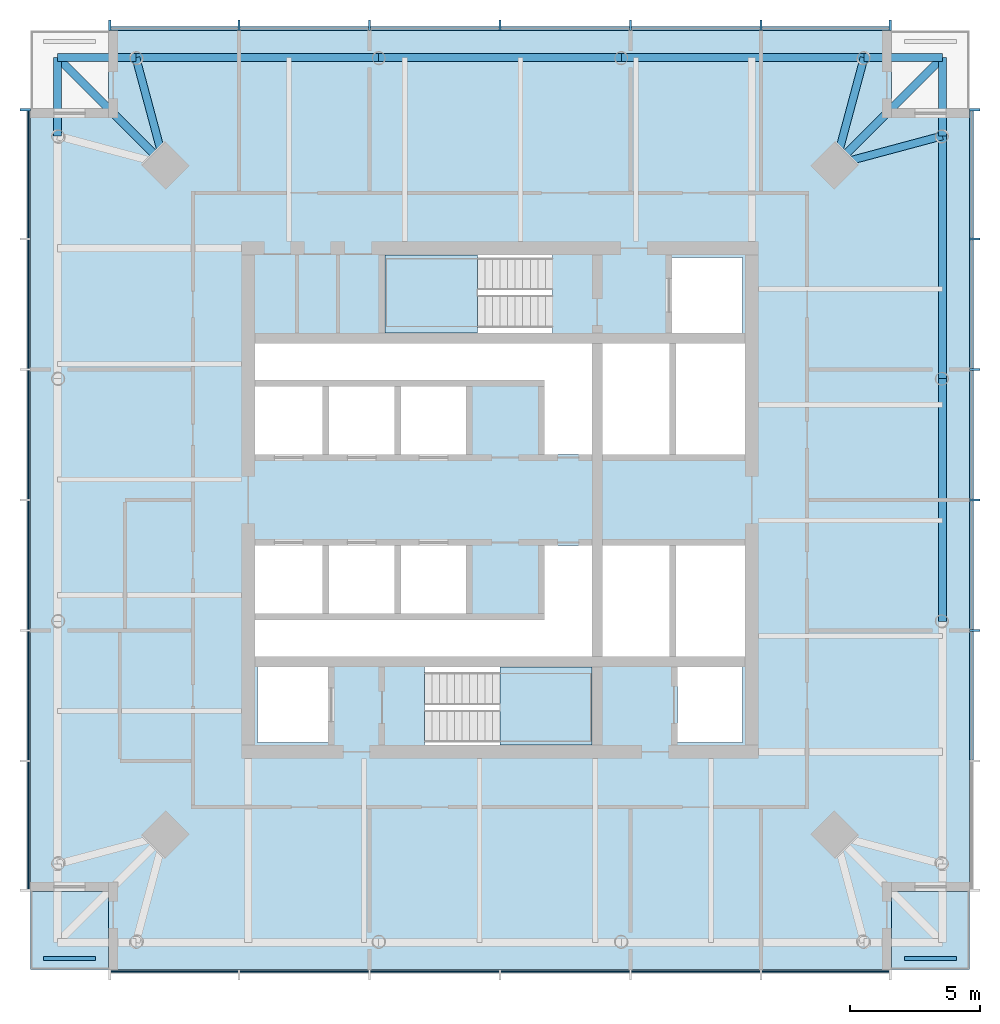
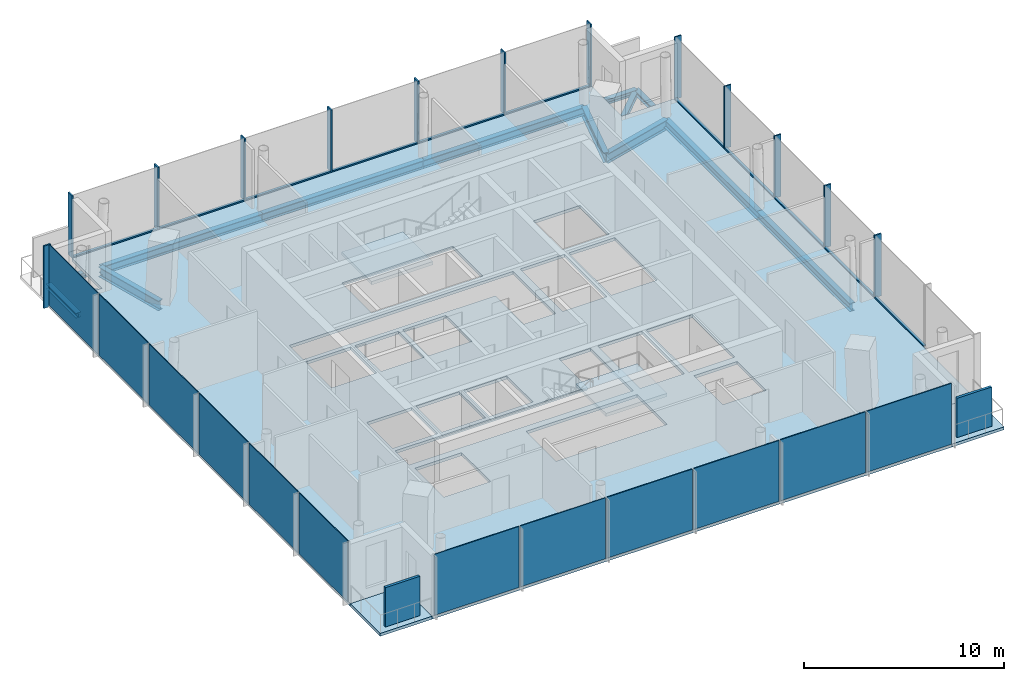
# One storey, part 2 of 7: 24 members, 14 beams, 14 plates, 5 slabs, 6 elements without a shape of their own.
"""IFC4 building model written with IfcOpenShell, lengths in metres."""

from ifc_helpers import new_model, si_unit, direction, frame, origin, origin_2d, place, context, subcontext, project, spatial, polyline, rectangle, i_section, outline, extrude, material, layer, layer_set, material_profile, profile_set, type_object, element, aggregate, save


model = new_model("IFC4")

# Units and contexts
model_context = context("Model", 3, precision=1e-05, world=origin(), true_north=direction((0.0, 1.0)))
body_context = subcontext(model_context, "Body", "Model", "MODEL_VIEW")
ifc_project = project(units=[si_unit("LENGTHUNIT", "METRE"), si_unit("AREAUNIT", "SQUARE_METRE"), si_unit("VOLUMEUNIT", "CUBIC_METRE"), si_unit("PLANEANGLEUNIT", "RADIAN"), si_unit("MASSUNIT", "GRAM", prefix="KILO")], contexts=[model_context])

# Site, building, storey
site_placement = place(None, origin())
site = spatial("IfcSite", under=ifc_project, at=site_placement, CompositionType="ELEMENT")
building_placement = place(site_placement, origin())
building = spatial("IfcBuilding", under=site, at=building_placement, Name="Ostroluk Exchange", CompositionType="ELEMENT")
storey_placement = place(building_placement, frame((0.0, 0.0, 241.39990234375)))
storey = spatial("IfcBuildingStorey", under=building, at=storey_placement, Name="L62", CompositionType="ELEMENT", Elevation=241.39990234375)

# Beams
ifc_material_1 = material(Name="Steel S355", Category="steel")
ifc_material_profile_1 = material_profile(ifc_material_1, i_section(OverallWidth=0.300048828125, OverallDepth=0.300048828125, WebThickness=0.010986328125, FlangeThickness=0.01904296875, FilletRadius=0.027099609375, at=origin_2d()), Name="HEB 300")
ifc_profile_set_1 = profile_set([ifc_material_profile_1], Name="Steel S355")
beam_type_1 = type_object("IfcBeamType", Name="Balcony beam HEB 300", PredefinedType="BEAM", material=ifc_profile_set_1)
for number, where, z_axis, x_axis, name in (
    (1, (61.95703125, 59.95703125, -0.329833984375), (0.0, 1.0, 0.0), (-1.0, 0.0, 0.0), "T1 east balcony beam a"),
    (2, (58.95703125, 62.95703125, -0.329833984375), (1.0, 0.0, 0.0), (0.0, 1.0, 0.0), "T1 east balcony beam b"),
):
    element("IfcBeam", number, at=place(storey_placement, frame(where, z_axis=z_axis, x_axis=x_axis)), inside=storey, type_object=beam_type_1, Name=name, PredefinedType="BEAM", context=body_context, shape_type="SweptSolid", body=[
        extrude(i_section(OverallWidth=0.300048828125, OverallDepth=0.300048828125, WebThickness=0.010986328125, FlangeThickness=0.01904296875, FilletRadius=0.027099609375, at=origin_2d()), origin(), (0.0, 0.0, 1.0), 3.0),
    ])
beam_1_placement = place(storey_placement, frame((57.857177734375, 58.857177734375, -0.329833984375), z_axis=(0.707106781187, 0.707106781187, 0.0), x_axis=(-0.707106781187, 0.707106781187, 0.0)))
element("IfcBeam", 3, at=beam_1_placement, inside=storey, type_object=beam_type_1, Name="T1 east balcony beam c", PredefinedType="BEAM", context=body_context, shape_type="SweptSolid", body=[
    extrude(i_section(OverallWidth=0.300048828125, OverallDepth=0.300048828125, WebThickness=0.010986328125, FlangeThickness=0.01904296875, FilletRadius=0.027099609375, at=origin_2d()), origin(), (0.0, 0.0, 1.0), 5.798095703125),
])
for number, where, z_axis, x_axis, name in (
    (4, (31.04296875, 62.95703125, -0.329833984375), (-1.0, 0.0, 0.0), (0.0, -1.0, 0.0), "T1 north balcony beam a"),
    (5, (28.04296875, 59.95703125, -0.329833984375), (0.0, 1.0, 0.0), (-1.0, 0.0, 0.0), "T1 north balcony beam b"),
):
    element("IfcBeam", number, at=place(storey_placement, frame(where, z_axis=z_axis, x_axis=x_axis)), inside=storey, type_object=beam_type_1, Name=name, PredefinedType="BEAM", context=body_context, shape_type="SweptSolid", body=[
        extrude(i_section(OverallWidth=0.300048828125, OverallDepth=0.300048828125, WebThickness=0.010986328125, FlangeThickness=0.01904296875, FilletRadius=0.027099609375, at=origin_2d()), origin(), (0.0, 0.0, 1.0), 3.0),
    ])
beam_2_placement = place(storey_placement, frame((32.142822265625, 58.857177734375, -0.329833984375), z_axis=(-0.707106781187, 0.707106781187, 0.0), x_axis=(-0.707106781187, -0.707106781187, 0.0)))
element("IfcBeam", 6, at=beam_2_placement, inside=storey, type_object=beam_type_1, Name="T1 north balcony beam c", PredefinedType="BEAM", context=body_context, shape_type="SweptSolid", body=[
    extrude(i_section(OverallWidth=0.300048828125, OverallDepth=0.300048828125, WebThickness=0.010986328125, FlangeThickness=0.01904296875, FilletRadius=0.027099609375, at=origin_2d()), origin(), (0.0, 0.0, 1.0), 5.798095703125),
])
ifc_material_2 = material(Name="Steel S355", Category="steel")
ifc_material_profile_2 = material_profile(ifc_material_2, i_section(OverallWidth=0.300048828125, OverallDepth=0.60009765625, WebThickness=0.015380859375, FlangeThickness=0.030029296875, FilletRadius=0.027099609375, at=origin_2d()), Name="HEB 600")
ifc_profile_set_2 = profile_set([ifc_material_profile_2], Name="Steel S355")
beam_type_2 = type_object("IfcBeamType", Name="Corner edge beam HEB 600", PredefinedType="SPANDREL", material=ifc_profile_set_2)
for number, where, z_axis, x_axis, name in (
    (7, (57.857177734375, 58.857177734375, -0.47998046875), (0.965849156574, 0.259105011038, 0.0), (-0.259105011038, 0.965849156574, 0.0), "T1 east corner edge beam a"),
    (8, (57.857177734375, 58.857177734375, -0.47998046875), (0.259105011038, 0.965849156574, 0.0), (-0.965849156574, 0.259105011038, 0.0), "T1 east corner edge beam b"),
    (9, (32.142822265625, 58.857177734375, -0.47998046875), (-0.259105011038, 0.965849156574, 0.0), (-0.965849156574, -0.259105011038, 0.0), "T1 north corner edge beam a"),
):
    element("IfcBeam", number, at=place(storey_placement, frame(where, z_axis=z_axis, x_axis=x_axis)), inside=storey, type_object=beam_type_2, Name=name, PredefinedType="SPANDREL", context=body_context, shape_type="SweptSolid", body=[
        extrude(i_section(OverallWidth=0.300048828125, OverallDepth=0.60009765625, WebThickness=0.015380859375, FlangeThickness=0.030029296875, FilletRadius=0.027099609375, at=origin_2d()), origin(), (0.0, 0.0, 1.0), 4.244873046875),
    ])
ifc_material_3 = material(Name="Steel S355", Category="steel")
ifc_material_profile_3 = material_profile(ifc_material_3, i_section(OverallWidth=0.300048828125, OverallDepth=0.5, WebThickness=0.014404296875, FlangeThickness=0.028076171875, FilletRadius=0.027099609375, at=origin_2d()), Name="HEB 500")
ifc_profile_set_3 = profile_set([ifc_material_profile_3], Name="Steel S355")
beam_type_3 = type_object("IfcBeamType", Name="Moment-connected edge beam HEB 500", PredefinedType="SPANDREL", material=ifc_profile_set_3)
for number, where, z_axis, x_axis, name in (
    (10, (61.95703125, 41.34765625, -0.429931640625), (0.0, 1.0, 0.0), (-1.0, 0.0, 0.0), "T1 east edge beam 2"),
    (11, (61.95703125, 50.65234375, -0.429931640625), (0.0, 1.0, 0.0), (-1.0, 0.0, 0.0), "T1 east edge beam 3"),
    (12, (58.95703125, 62.95703125, -0.429931640625), (-1.0, 0.0, 0.0), (0.0, -1.0, 0.0), "T1 north edge beam 1"),
    (13, (49.65234375, 62.95703125, -0.429931640625), (-1.0, 0.0, 0.0), (0.0, -1.0, 0.0), "T1 north edge beam 2"),
    (14, (40.34765625, 62.95703125, -0.429931640625), (-1.0, 0.0, 0.0), (0.0, -1.0, 0.0), "T1 north edge beam 3"),
):
    element("IfcBeam", number, at=place(storey_placement, frame(where, z_axis=z_axis, x_axis=x_axis)), inside=storey, type_object=beam_type_3, Name=name, PredefinedType="SPANDREL", context=body_context, shape_type="SweptSolid", body=[
        extrude(i_section(OverallWidth=0.300048828125, OverallDepth=0.5, WebThickness=0.014404296875, FlangeThickness=0.028076171875, FilletRadius=0.027099609375, at=origin_2d()), origin(), (0.0, 0.0, 1.0), 9.3046875),
    ])

# Curtain wall, members
ifc_material_4 = material(Name="Laminated clear glass", Category="glass")
curtain_wall_type = type_object("IfcCurtainWallType", Name="Office tower facade", PredefinedType="USERDEFINED", material=ifc_material_4)
curtain_wall_1_placement = place(storey_placement, origin())
curtain_wall_1 = element("IfcCurtainWall", 15, at=curtain_wall_1_placement, inside=storey, type_object=curtain_wall_type, Name="Office tower east facade L62", ObjectType="UNITISED CURTAIN WALL", PredefinedType="USERDEFINED")
ifc_material_5 = material(Name="Aluminium mullion", Category="aluminium")
ifc_material_profile_4 = material_profile(ifc_material_5, rectangle(XDim=0.14990234375, YDim=0.080078125, at=origin_2d()), Name="Sill transom 80 x 150")
ifc_profile_set_4 = profile_set([ifc_material_profile_4], Name="Aluminium mullion")
member_type_1 = type_object("IfcMemberType", Name="Sill transom 80 x 150", PredefinedType="USERDEFINED", material=ifc_profile_set_4)
member_1_placement = place(storey_placement, frame((63.074951171875, 36.0400390625, 0.0400390625), z_axis=(0.0, 1.0, 0.0), x_axis=(-1.0, 0.0, 0.0)))
member_1 = element("IfcMember", 16, at=member_1_placement, type_object=member_type_1, Name="CW-O1 transom 2.1", ObjectType="TRANSOM", PredefinedType="USERDEFINED", context=body_context, shape_type="SweptSolid", body=[
    extrude(rectangle(XDim=0.14990234375, YDim=0.080078125, at=origin_2d()), origin(), (0.0, 0.0, 1.0), 4.919921875),
])
member_2_placement = place(storey_placement, frame((63.074951171875, 41.0400390625, 0.0400390625), z_axis=(0.0, 1.0, 0.0), x_axis=(-1.0, 0.0, 0.0)))
member_2 = element("IfcMember", 17, at=member_2_placement, type_object=member_type_1, Name="CW-O1 transom 3.1", ObjectType="TRANSOM", PredefinedType="USERDEFINED", context=body_context, shape_type="SweptSolid", body=[
    extrude(rectangle(XDim=0.14990234375, YDim=0.080078125, at=origin_2d()), origin(), (0.0, 0.0, 1.0), 4.919921875),
])
member_3_placement = place(storey_placement, frame((63.074951171875, 46.0400390625, 0.0400390625), z_axis=(0.0, 1.0, 0.0), x_axis=(-1.0, 0.0, 0.0)))
member_3 = element("IfcMember", 18, at=member_3_placement, type_object=member_type_1, Name="CW-O1 transom 4.1", ObjectType="TRANSOM", PredefinedType="USERDEFINED", context=body_context, shape_type="SweptSolid", body=[
    extrude(rectangle(XDim=0.14990234375, YDim=0.080078125, at=origin_2d()), origin(), (0.0, 0.0, 1.0), 4.919921875),
])
member_4_placement = place(storey_placement, frame((63.074951171875, 51.0400390625, 0.0400390625), z_axis=(0.0, 1.0, 0.0), x_axis=(-1.0, 0.0, 0.0)))
member_4 = element("IfcMember", 19, at=member_4_placement, type_object=member_type_1, Name="CW-O1 transom 5.1", ObjectType="TRANSOM", PredefinedType="USERDEFINED", context=body_context, shape_type="SweptSolid", body=[
    extrude(rectangle(XDim=0.14990234375, YDim=0.080078125, at=origin_2d()), origin(), (0.0, 0.0, 1.0), 4.919921875),
])
member_5_placement = place(storey_placement, frame((63.074951171875, 56.0400390625, 0.0400390625), z_axis=(0.0, 1.0, 0.0), x_axis=(-1.0, 0.0, 0.0)))
member_5 = element("IfcMember", 20, at=member_5_placement, type_object=member_type_1, Name="CW-O1 transom 6.1", ObjectType="TRANSOM", PredefinedType="USERDEFINED", context=body_context, shape_type="SweptSolid", body=[
    extrude(rectangle(XDim=0.14990234375, YDim=0.080078125, at=origin_2d()), origin(), (0.0, 0.0, 1.0), 4.8798828125),
])

curtain_wall_2_placement = place(storey_placement, origin())
curtain_wall_2 = element("IfcCurtainWall", 21, at=curtain_wall_2_placement, inside=storey, type_object=curtain_wall_type, Name="Office tower north facade L62", ObjectType="UNITISED CURTAIN WALL", PredefinedType="USERDEFINED")
member_6_placement = place(storey_placement, frame((59.919921875, 64.074951171875, 0.0400390625), z_axis=(-1.0, 0.0, 0.0), x_axis=(0.0, -1.0, 0.0)))
member_6 = element("IfcMember", 22, at=member_6_placement, type_object=member_type_1, Name="CW-O1 transom 1.1", ObjectType="TRANSOM", PredefinedType="USERDEFINED", context=body_context, shape_type="SweptSolid", body=[
    extrude(rectangle(XDim=0.14990234375, YDim=0.080078125, at=origin_2d()), origin(), (0.0, 0.0, 1.0), 4.8798828125),
])
member_7_placement = place(storey_placement, frame((54.9599609375, 64.074951171875, 0.0400390625), z_axis=(-1.0, 0.0, 0.0), x_axis=(0.0, -1.0, 0.0)))
member_7 = element("IfcMember", 23, at=member_7_placement, type_object=member_type_1, Name="CW-O1 transom 2.1", ObjectType="TRANSOM", PredefinedType="USERDEFINED", context=body_context, shape_type="SweptSolid", body=[
    extrude(rectangle(XDim=0.14990234375, YDim=0.080078125, at=origin_2d()), origin(), (0.0, 0.0, 1.0), 4.919921875),
])
member_8_placement = place(storey_placement, frame((49.9599609375, 64.074951171875, 0.0400390625), z_axis=(-1.0, 0.0, 0.0), x_axis=(0.0, -1.0, 0.0)))
member_8 = element("IfcMember", 24, at=member_8_placement, type_object=member_type_1, Name="CW-O1 transom 3.1", ObjectType="TRANSOM", PredefinedType="USERDEFINED", context=body_context, shape_type="SweptSolid", body=[
    extrude(rectangle(XDim=0.14990234375, YDim=0.080078125, at=origin_2d()), origin(), (0.0, 0.0, 1.0), 4.919921875),
])
member_9_placement = place(storey_placement, frame((44.9599609375, 64.074951171875, 0.0400390625), z_axis=(-1.0, 0.0, 0.0), x_axis=(0.0, -1.0, 0.0)))
member_9 = element("IfcMember", 25, at=member_9_placement, type_object=member_type_1, Name="CW-O1 transom 4.1", ObjectType="TRANSOM", PredefinedType="USERDEFINED", context=body_context, shape_type="SweptSolid", body=[
    extrude(rectangle(XDim=0.14990234375, YDim=0.080078125, at=origin_2d()), origin(), (0.0, 0.0, 1.0), 4.919921875),
])
member_10_placement = place(storey_placement, frame((39.9599609375, 64.074951171875, 0.0400390625), z_axis=(-1.0, 0.0, 0.0), x_axis=(0.0, -1.0, 0.0)))
member_10 = element("IfcMember", 26, at=member_10_placement, type_object=member_type_1, Name="CW-O1 transom 5.1", ObjectType="TRANSOM", PredefinedType="USERDEFINED", context=body_context, shape_type="SweptSolid", body=[
    extrude(rectangle(XDim=0.14990234375, YDim=0.080078125, at=origin_2d()), origin(), (0.0, 0.0, 1.0), 4.919921875),
])
member_11_placement = place(storey_placement, frame((34.9599609375, 64.074951171875, 0.0400390625), z_axis=(-1.0, 0.0, 0.0), x_axis=(0.0, -1.0, 0.0)))
member_11 = element("IfcMember", 27, at=member_11_placement, type_object=member_type_1, Name="CW-O1 transom 6.1", ObjectType="TRANSOM", PredefinedType="USERDEFINED", context=body_context, shape_type="SweptSolid", body=[
    extrude(rectangle(XDim=0.14990234375, YDim=0.080078125, at=origin_2d()), origin(), (0.0, 0.0, 1.0), 4.8798828125),
])

# Member
ifc_material_6 = material(Name="Aluminium mullion with limestone facing", Category="masonry")
ifc_material_profile_5 = material_profile(ifc_material_6, rectangle(XDim=0.39990234375, YDim=0.080078125, at=origin_2d()), Name="Tracery mullion 80 x 400")
ifc_profile_set_5 = profile_set([ifc_material_profile_5], Name="Aluminium mullion with limestone facing")
member_type_2 = type_object("IfcMemberType", Name="Tracery mullion 80 x 400", PredefinedType="MULLION", material=ifc_profile_set_5)
member_12_placement = place(storey_placement, frame((63.199951171875, 41.0, 0.0), z_axis=(0.0, 0.0, 1.0), x_axis=(-1.0, 0.0, 0.0)))
member_12 = element("IfcMember", 28, at=member_12_placement, type_object=member_type_2, Name="CW-O1 mullion 3", PredefinedType="MULLION", context=body_context, shape_type="SweptSolid", body=[
    extrude(rectangle(XDim=0.39990234375, YDim=0.080078125, at=origin_2d()), origin(), (0.0, 0.0, 1.0), 3.800048828125),
])

member_13_placement = place(storey_placement, frame((63.199951171875, 46.0, 0.0), z_axis=(0.0, 0.0, 1.0), x_axis=(-1.0, 0.0, 0.0)))
member_13 = element("IfcMember", 29, at=member_13_placement, type_object=member_type_2, Name="CW-O1 mullion 4", PredefinedType="MULLION", context=body_context, shape_type="SweptSolid", body=[
    extrude(rectangle(XDim=0.39990234375, YDim=0.080078125, at=origin_2d()), origin(), (0.0, 0.0, 1.0), 3.800048828125),
])

member_14_placement = place(storey_placement, frame((63.199951171875, 51.0, 0.0), z_axis=(0.0, 0.0, 1.0), x_axis=(-1.0, 0.0, 0.0)))
member_14 = element("IfcMember", 30, at=member_14_placement, type_object=member_type_2, Name="CW-O1 mullion 5", PredefinedType="MULLION", context=body_context, shape_type="SweptSolid", body=[
    extrude(rectangle(XDim=0.39990234375, YDim=0.080078125, at=origin_2d()), origin(), (0.0, 0.0, 1.0), 3.800048828125),
])

member_15_placement = place(storey_placement, frame((63.199951171875, 56.0, 0.0), z_axis=(0.0, 0.0, 1.0), x_axis=(-1.0, 0.0, 0.0)))
member_15 = element("IfcMember", 31, at=member_15_placement, type_object=member_type_2, Name="CW-O1 mullion 6", PredefinedType="MULLION", context=body_context, shape_type="SweptSolid", body=[
    extrude(rectangle(XDim=0.39990234375, YDim=0.080078125, at=origin_2d()), origin(), (0.0, 0.0, 1.0), 3.800048828125),
])

member_16_placement = place(storey_placement, frame((63.199951171875, 60.9599609375, 0.0), z_axis=(0.0, 0.0, 1.0), x_axis=(-1.0, 0.0, 0.0)))
member_16 = element("IfcMember", 32, at=member_16_placement, type_object=member_type_2, Name="CW-O1 mullion 7", PredefinedType="MULLION", context=body_context, shape_type="SweptSolid", body=[
    extrude(rectangle(XDim=0.39990234375, YDim=0.080078125, at=origin_2d()), origin(), (0.0, 0.0, 1.0), 3.800048828125),
])

aggregate(curtain_wall_1, [member_12, member_13, member_14, member_15, member_16, member_1, member_2, member_3, member_4, member_5])

member_17_placement = place(storey_placement, frame((59.9599609375, 64.199951171875, 0.0), z_axis=(0.0, 0.0, 1.0), x_axis=(0.0, -1.0, 0.0)))
member_17 = element("IfcMember", 33, at=member_17_placement, type_object=member_type_2, Name="CW-O1 mullion 1", PredefinedType="MULLION", context=body_context, shape_type="SweptSolid", body=[
    extrude(rectangle(XDim=0.39990234375, YDim=0.080078125, at=origin_2d()), origin(), (0.0, 0.0, 1.0), 3.800048828125),
])

member_18_placement = place(storey_placement, frame((55.0, 64.199951171875, 0.0), z_axis=(0.0, 0.0, 1.0), x_axis=(0.0, -1.0, 0.0)))
member_18 = element("IfcMember", 34, at=member_18_placement, type_object=member_type_2, Name="CW-O1 mullion 2", PredefinedType="MULLION", context=body_context, shape_type="SweptSolid", body=[
    extrude(rectangle(XDim=0.39990234375, YDim=0.080078125, at=origin_2d()), origin(), (0.0, 0.0, 1.0), 3.800048828125),
])

member_19_placement = place(storey_placement, frame((50.0, 64.199951171875, 0.0), z_axis=(0.0, 0.0, 1.0), x_axis=(0.0, -1.0, 0.0)))
member_19 = element("IfcMember", 35, at=member_19_placement, type_object=member_type_2, Name="CW-O1 mullion 3", PredefinedType="MULLION", context=body_context, shape_type="SweptSolid", body=[
    extrude(rectangle(XDim=0.39990234375, YDim=0.080078125, at=origin_2d()), origin(), (0.0, 0.0, 1.0), 3.800048828125),
])

member_20_placement = place(storey_placement, frame((45.0, 64.199951171875, 0.0), z_axis=(0.0, 0.0, 1.0), x_axis=(0.0, -1.0, 0.0)))
member_20 = element("IfcMember", 36, at=member_20_placement, type_object=member_type_2, Name="CW-O1 mullion 4", PredefinedType="MULLION", context=body_context, shape_type="SweptSolid", body=[
    extrude(rectangle(XDim=0.39990234375, YDim=0.080078125, at=origin_2d()), origin(), (0.0, 0.0, 1.0), 3.800048828125),
])

member_21_placement = place(storey_placement, frame((40.0, 64.199951171875, 0.0), z_axis=(0.0, 0.0, 1.0), x_axis=(0.0, -1.0, 0.0)))
member_21 = element("IfcMember", 37, at=member_21_placement, type_object=member_type_2, Name="CW-O1 mullion 5", PredefinedType="MULLION", context=body_context, shape_type="SweptSolid", body=[
    extrude(rectangle(XDim=0.39990234375, YDim=0.080078125, at=origin_2d()), origin(), (0.0, 0.0, 1.0), 3.800048828125),
])

member_22_placement = place(storey_placement, frame((35.0, 64.199951171875, 0.0), z_axis=(0.0, 0.0, 1.0), x_axis=(0.0, -1.0, 0.0)))
member_22 = element("IfcMember", 38, at=member_22_placement, type_object=member_type_2, Name="CW-O1 mullion 6", PredefinedType="MULLION", context=body_context, shape_type="SweptSolid", body=[
    extrude(rectangle(XDim=0.39990234375, YDim=0.080078125, at=origin_2d()), origin(), (0.0, 0.0, 1.0), 3.800048828125),
])

member_23_placement = place(storey_placement, frame((30.0400390625, 64.199951171875, 0.0), z_axis=(0.0, 0.0, 1.0), x_axis=(0.0, -1.0, 0.0)))
member_23 = element("IfcMember", 39, at=member_23_placement, type_object=member_type_2, Name="CW-O1 mullion 7", PredefinedType="MULLION", context=body_context, shape_type="SweptSolid", body=[
    extrude(rectangle(XDim=0.39990234375, YDim=0.080078125, at=origin_2d()), origin(), (0.0, 0.0, 1.0), 3.800048828125),
])

aggregate(curtain_wall_2, [member_17, member_18, member_19, member_20, member_21, member_22, member_23, member_6, member_7, member_8, member_9, member_10, member_11])

# Curtain wall, member
curtain_wall_3_placement = place(storey_placement, origin())
curtain_wall_3 = element("IfcCurtainWall", 40, at=curtain_wall_3_placement, inside=storey, type_object=curtain_wall_type, Name="Office tower west facade L62", ObjectType="UNITISED CURTAIN WALL", PredefinedType="USERDEFINED")
member_24_placement = place(storey_placement, frame((26.800048828125, 60.9599609375, 0.0), z_axis=(0.0, 0.0, 1.0), x_axis=(1.0, 0.0, 0.0)))
member_24 = element("IfcMember", 41, at=member_24_placement, type_object=member_type_2, Name="CW-O1 mullion 1", PredefinedType="MULLION", context=body_context, shape_type="SweptSolid", body=[
    extrude(rectangle(XDim=0.39990234375, YDim=0.080078125, at=origin_2d()), origin(), (0.0, 0.0, 1.0), 3.800048828125),
])

# Slabs
ifc_material_7 = material(Name="Concrete C35/45", Category="concrete")
ifc_layer_1 = layer(ifc_material_7, 0.179931640625)
ifc_layer_set_1 = layer_set([ifc_layer_1], Name="Balcony slab 180")
slab_type_1 = type_object("IfcSlabType", Name="Balcony slab 180", PredefinedType="USERDEFINED", material=ifc_layer_set_1)
slab_1_placement = place(storey_placement, frame((0.0, 0.0, -0.179931640625)))
element("IfcSlab", 42, at=slab_1_placement, inside=storey, type_object=slab_type_1, Name="Office tower SE corner balcony L62", ObjectType="BALCONY", PredefinedType="USERDEFINED", context=body_context, shape_type="SweptSolid", body=[
    extrude(outline(polyline([(60.0, 28.0), (63.0, 28.0), (63.0, 31.0), (60.0, 31.0), (60.0, 28.0)])), origin(), (0.0, 0.0, 1.0), 0.179931640625),
])
slab_2_placement = place(storey_placement, frame((0.0, 0.0, -0.179931640625)))
element("IfcSlab", 43, at=slab_2_placement, inside=storey, type_object=slab_type_1, Name="Office tower SW corner balcony L62", ObjectType="BALCONY", PredefinedType="USERDEFINED", context=body_context, shape_type="SweptSolid", body=[
    extrude(outline(polyline([(27.0, 28.0), (30.0, 28.0), (30.0, 31.0), (27.0, 31.0), (27.0, 28.0)])), origin(), (0.0, 0.0, 1.0), 0.179931640625),
])

# Plates
ifc_material_8 = material(Name="Steel S355 trellis with planting", Category="steel")
ifc_layer_2 = layer(ifc_material_8, 0.14990234375)
ifc_layer_set_2 = layer_set([ifc_layer_2], Name="Planted screen 150")
plate_type_1 = type_object("IfcPlateType", Name="Planted screen 150", PredefinedType="USERDEFINED", material=ifc_layer_set_2)
for number, where, z_axis, x_axis, name in (
    (44, (61.5, 28.425048828125, 0.000244140625), (0.0, 0.0, 1.0), (1.0, 0.0, 0.0), "Office tower SE planted screen L62"),
    (45, (28.5, 28.425048828125, 0.000244140625), (0.0, 0.0, 1.0), (1.0, 0.0, 0.0), "Office tower SW planted screen L62"),
):
    element("IfcPlate", number, at=place(storey_placement, frame(where, z_axis=z_axis, x_axis=x_axis)), inside=storey, type_object=plate_type_1, Name=name, ObjectType="PLANTED SCREEN", PredefinedType="USERDEFINED", context=body_context, shape_type="SweptSolid", body=[
        extrude(rectangle(XDim=2.0, YDim=0.14990234375, at=origin_2d()), origin(), (0.0, 0.0, 1.0), 2.39990234375),
    ])

# Stair, slab
ifc_material_9 = material(Name="Concrete C30/37", Category="concrete")
stair_type = type_object("IfcStairType", Name="Exit stair half turn 3800", PredefinedType="HALF_TURN_STAIR", material=ifc_material_9)
stair_1_placement = place(storey_placement, origin())
stair_1 = element("IfcStair", 46, at=stair_1_placement, inside=storey, type_object=stair_type, Name="Stair T1-S1 L62", PredefinedType="HALF_TURN_STAIR")
ifc_material_10 = material(Name="Concrete C30/37", Category="concrete")
ifc_layer_3 = layer(ifc_material_10, 0.199951171875)
ifc_layer_set_3 = layer_set([ifc_layer_3], Name="Stair landing 200")
slab_type_2 = type_object("IfcSlabType", Name="Stair landing 200", PredefinedType="LANDING", material=ifc_layer_set_3)
slab_3_placement = place(storey_placement, frame((0.0, 0.0, 1.7001953125)))
slab_3 = element("IfcSlab", 47, at=slab_3_placement, type_object=slab_type_2, Name="T1-S1 landing 1", PredefinedType="LANDING", context=body_context, shape_type="SweptSolid", body=[
    extrude(outline(polyline([(45.0, 36.60009765625), (45.0, 39.60009765625), (48.530029296875, 39.60009765625), (48.530029296875, 36.60009765625), (45.0, 36.60009765625)])), origin(), (0.0, 0.0, 1.0), 0.199951171875),
])
aggregate(stair_1, [slab_3])

stair_2_placement = place(storey_placement, origin())
stair_2 = element("IfcStair", 48, at=stair_2_placement, inside=storey, type_object=stair_type, Name="Stair T1-S2 L62", PredefinedType="HALF_TURN_STAIR")
slab_4_placement = place(storey_placement, frame((0.0, 0.0, 1.7001953125)))
slab_4 = element("IfcSlab", 49, at=slab_4_placement, type_object=slab_type_2, Name="T1-S2 landing 1", PredefinedType="LANDING", context=body_context, shape_type="SweptSolid", body=[
    extrude(outline(polyline([(44.1298828125, 52.39990234375), (44.1298828125, 55.39990234375), (40.60009765625, 55.39990234375), (40.60009765625, 52.39990234375), (44.1298828125, 52.39990234375)])), origin(), (0.0, 0.0, 1.0), 0.199951171875),
])
aggregate(stair_2, [slab_4])

# Slab
ifc_material_11 = material(Name="Concrete C35/45", Category="concrete")
ifc_layer_4 = layer(ifc_material_11, 0.179931640625)
ifc_layer_set_4 = layer_set([ifc_layer_4], Name="Tower floor slab 180 composite")
slab_type_3 = type_object("IfcSlabType", Name="Tower floor slab 180 composite", PredefinedType="FLOOR", material=ifc_layer_set_4)
slab_5_placement = place(storey_placement, frame((0.0, 0.0, -0.179931640625)))
element("IfcSlab", 50, at=slab_5_placement, inside=storey, type_object=slab_type_3, Name="Office tower floor slab L62", PredefinedType="FLOOR", context=body_context, shape_type="SweptSolid", body=[
    extrude(outline(polyline([(30.0, 28.0), (60.0, 28.0), (60.0, 31.0), (63.0, 31.0), (63.0, 61.0), (60.0, 61.0), (60.0, 64.0), (30.0, 64.0), (30.0, 61.0), (27.0, 61.0), (27.0, 31.0), (30.0, 31.0), (30.0, 28.0)]), holes=[polyline([(35.699951171875, 36.699951171875), (38.39990234375, 36.699951171875), (38.39990234375, 39.60009765625), (35.699951171875, 39.60009765625), (35.699951171875, 36.699951171875)]), polyline([(42.110107421875, 36.60009765625), (48.530029296875, 36.60009765625), (48.530029296875, 39.60009765625), (42.110107421875, 39.60009765625), (42.110107421875, 36.60009765625)]), polyline([(51.800048828125, 36.699951171875), (54.300048828125, 36.699951171875), (54.300048828125, 39.60009765625), (51.800048828125, 39.60009765625), (51.800048828125, 36.699951171875)]), polyline([(40.60009765625, 52.39990234375), (47.02001953125, 52.39990234375), (47.02001953125, 55.39990234375), (40.60009765625, 55.39990234375), (40.60009765625, 52.39990234375)]), polyline([(51.60009765625, 52.39990234375), (54.300048828125, 52.39990234375), (54.300048828125, 55.300048828125), (51.60009765625, 55.300048828125), (51.60009765625, 52.39990234375)]), polyline([(35.60009765625, 47.75), (38.199951171875, 47.75), (38.199951171875, 50.35009765625), (35.60009765625, 50.35009765625), (35.60009765625, 47.75)]), polyline([(38.449951171875, 47.75), (40.949951171875, 47.75), (40.949951171875, 50.35009765625), (38.449951171875, 50.35009765625), (38.449951171875, 47.75)]), polyline([(41.199951171875, 47.75), (43.699951171875, 47.75), (43.699951171875, 50.35009765625), (41.199951171875, 50.35009765625), (41.199951171875, 47.75)]), polyline([(35.60009765625, 41.64990234375), (38.199951171875, 41.64990234375), (38.199951171875, 44.25), (35.60009765625, 44.25), (35.60009765625, 41.64990234375)]), polyline([(38.449951171875, 41.64990234375), (40.949951171875, 41.64990234375), (40.949951171875, 44.25), (38.449951171875, 44.25), (38.449951171875, 41.64990234375)]), polyline([(41.199951171875, 41.64990234375), (43.699951171875, 41.64990234375), (43.699951171875, 44.25), (41.199951171875, 44.25), (41.199951171875, 41.64990234375)]), polyline([(48.929931640625, 47.75), (51.489990234375, 47.75), (51.489990234375, 52.0), (48.929931640625, 52.0), (48.929931640625, 47.75)]), polyline([(51.739990234375, 47.75), (54.39990234375, 47.75), (54.39990234375, 52.0), (51.739990234375, 52.0), (51.739990234375, 47.75)]), polyline([(48.929931640625, 40.0), (51.489990234375, 40.0), (51.489990234375, 44.25), (48.929931640625, 44.25), (48.929931640625, 40.0)]), polyline([(51.739990234375, 40.0), (54.39990234375, 40.0), (54.39990234375, 44.25), (51.739990234375, 44.25), (51.739990234375, 40.0)]), polyline([(48.530029296875, 52.0), (48.530029296875, 47.75), (46.699951171875, 47.75), (46.699951171875, 50.60009765625), (35.60009765625, 50.60009765625), (35.60009765625, 52.0), (48.530029296875, 52.0)]), polyline([(35.60009765625, 40.0), (35.60009765625, 41.39990234375), (46.699951171875, 41.39990234375), (46.699951171875, 44.25), (48.530029296875, 44.25), (48.530029296875, 40.0), (35.60009765625, 40.0)])]), origin(), (0.0, 0.0, 1.0), 0.179931640625),
])

# Curtain wall, plates
curtain_wall_4_placement = place(storey_placement, origin())
curtain_wall_4 = element("IfcCurtainWall", 51, at=curtain_wall_4_placement, inside=storey, type_object=curtain_wall_type, Name="Office tower south facade L62", ObjectType="UNITISED CURTAIN WALL", PredefinedType="USERDEFINED")
ifc_material_12 = material(Name="Laminated clear glass", Category="glass")
ifc_layer_5 = layer(ifc_material_12, 0.0439453125)
ifc_layer_set_5 = layer_set([ifc_layer_5], Name="Triple laminated clear glazing 44")
plate_type_2 = type_object("IfcPlateType", Name="Triple laminated clear glazing 44", PredefinedType="CURTAIN_PANEL", material=ifc_layer_set_5)
plate_1_placement = place(storey_placement, frame((32.52001953125, 27.925048828125, 0.080078125), z_axis=(0.0, 0.0, 1.0), x_axis=(1.0, 0.0, 0.0)))
plate_1 = element("IfcPlate", 52, at=plate_1_placement, type_object=plate_type_2, Name="CW-O1 panel 1.1", PredefinedType="CURTAIN_PANEL", context=body_context, shape_type="SweptSolid", body=[
    extrude(rectangle(XDim=4.8798828125, YDim=0.0439453125, at=origin_2d()), origin(), (0.0, 0.0, 1.0), 3.719970703125),
])
plate_2_placement = place(storey_placement, frame((37.5, 27.925048828125, 0.080078125), z_axis=(0.0, 0.0, 1.0), x_axis=(1.0, 0.0, 0.0)))
plate_2 = element("IfcPlate", 53, at=plate_2_placement, type_object=plate_type_2, Name="CW-O1 panel 2.1", PredefinedType="CURTAIN_PANEL", context=body_context, shape_type="SweptSolid", body=[
    extrude(rectangle(XDim=4.919921875, YDim=0.0439453125, at=origin_2d()), origin(), (0.0, 0.0, 1.0), 3.719970703125),
])
plate_3_placement = place(storey_placement, frame((42.5, 27.925048828125, 0.080078125), z_axis=(0.0, 0.0, 1.0), x_axis=(1.0, 0.0, 0.0)))
plate_3 = element("IfcPlate", 54, at=plate_3_placement, type_object=plate_type_2, Name="CW-O1 panel 3.1", PredefinedType="CURTAIN_PANEL", context=body_context, shape_type="SweptSolid", body=[
    extrude(rectangle(XDim=4.919921875, YDim=0.0439453125, at=origin_2d()), origin(), (0.0, 0.0, 1.0), 3.719970703125),
])
plate_4_placement = place(storey_placement, frame((47.5, 27.925048828125, 0.080078125), z_axis=(0.0, 0.0, 1.0), x_axis=(1.0, 0.0, 0.0)))
plate_4 = element("IfcPlate", 55, at=plate_4_placement, type_object=plate_type_2, Name="CW-O1 panel 4.1", PredefinedType="CURTAIN_PANEL", context=body_context, shape_type="SweptSolid", body=[
    extrude(rectangle(XDim=4.919921875, YDim=0.0439453125, at=origin_2d()), origin(), (0.0, 0.0, 1.0), 3.719970703125),
])
plate_5_placement = place(storey_placement, frame((52.5, 27.925048828125, 0.080078125), z_axis=(0.0, 0.0, 1.0), x_axis=(1.0, 0.0, 0.0)))
plate_5 = element("IfcPlate", 56, at=plate_5_placement, type_object=plate_type_2, Name="CW-O1 panel 5.1", PredefinedType="CURTAIN_PANEL", context=body_context, shape_type="SweptSolid", body=[
    extrude(rectangle(XDim=4.919921875, YDim=0.0439453125, at=origin_2d()), origin(), (0.0, 0.0, 1.0), 3.719970703125),
])
plate_6_placement = place(storey_placement, frame((57.47998046875, 27.925048828125, 0.080078125), z_axis=(0.0, 0.0, 1.0), x_axis=(1.0, 0.0, 0.0)))
plate_6 = element("IfcPlate", 57, at=plate_6_placement, type_object=plate_type_2, Name="CW-O1 panel 6.1", PredefinedType="CURTAIN_PANEL", context=body_context, shape_type="SweptSolid", body=[
    extrude(rectangle(XDim=4.8798828125, YDim=0.0439453125, at=origin_2d()), origin(), (0.0, 0.0, 1.0), 3.719970703125),
])
aggregate(curtain_wall_4, [plate_1, plate_2, plate_3, plate_4, plate_5, plate_6])

# Plate
plate_7_placement = place(storey_placement, frame((26.925048828125, 58.47998046875, 0.080078125), z_axis=(0.0, 0.0, 1.0), x_axis=(0.0, -1.0, 0.0)))
plate_7 = element("IfcPlate", 58, at=plate_7_placement, type_object=plate_type_2, Name="CW-O1 panel 1.1", PredefinedType="CURTAIN_PANEL", context=body_context, shape_type="SweptSolid", body=[
    extrude(rectangle(XDim=4.8798828125, YDim=0.0439453125, at=origin_2d()), origin(), (0.0, 0.0, 1.0), 3.719970703125),
])

plate_8_placement = place(storey_placement, frame((26.925048828125, 53.5, 0.080078125), z_axis=(0.0, 0.0, 1.0), x_axis=(0.0, -1.0, 0.0)))
plate_8 = element("IfcPlate", 59, at=plate_8_placement, type_object=plate_type_2, Name="CW-O1 panel 2.1", PredefinedType="CURTAIN_PANEL", context=body_context, shape_type="SweptSolid", body=[
    extrude(rectangle(XDim=4.919921875, YDim=0.0439453125, at=origin_2d()), origin(), (0.0, 0.0, 1.0), 3.719970703125),
])

plate_9_placement = place(storey_placement, frame((26.925048828125, 48.5, 0.080078125), z_axis=(0.0, 0.0, 1.0), x_axis=(0.0, -1.0, 0.0)))
plate_9 = element("IfcPlate", 60, at=plate_9_placement, type_object=plate_type_2, Name="CW-O1 panel 3.1", PredefinedType="CURTAIN_PANEL", context=body_context, shape_type="SweptSolid", body=[
    extrude(rectangle(XDim=4.919921875, YDim=0.0439453125, at=origin_2d()), origin(), (0.0, 0.0, 1.0), 3.719970703125),
])

plate_10_placement = place(storey_placement, frame((26.925048828125, 43.5, 0.080078125), z_axis=(0.0, 0.0, 1.0), x_axis=(0.0, -1.0, 0.0)))
plate_10 = element("IfcPlate", 61, at=plate_10_placement, type_object=plate_type_2, Name="CW-O1 panel 4.1", PredefinedType="CURTAIN_PANEL", context=body_context, shape_type="SweptSolid", body=[
    extrude(rectangle(XDim=4.919921875, YDim=0.0439453125, at=origin_2d()), origin(), (0.0, 0.0, 1.0), 3.719970703125),
])

plate_11_placement = place(storey_placement, frame((26.925048828125, 38.5, 0.080078125), z_axis=(0.0, 0.0, 1.0), x_axis=(0.0, -1.0, 0.0)))
plate_11 = element("IfcPlate", 62, at=plate_11_placement, type_object=plate_type_2, Name="CW-O1 panel 5.1", PredefinedType="CURTAIN_PANEL", context=body_context, shape_type="SweptSolid", body=[
    extrude(rectangle(XDim=4.919921875, YDim=0.0439453125, at=origin_2d()), origin(), (0.0, 0.0, 1.0), 3.719970703125),
])

plate_12_placement = place(storey_placement, frame((26.925048828125, 33.52001953125, 0.080078125), z_axis=(0.0, 0.0, 1.0), x_axis=(0.0, -1.0, 0.0)))
plate_12 = element("IfcPlate", 63, at=plate_12_placement, type_object=plate_type_2, Name="CW-O1 panel 6.1", PredefinedType="CURTAIN_PANEL", context=body_context, shape_type="SweptSolid", body=[
    extrude(rectangle(XDim=4.8798828125, YDim=0.0439453125, at=origin_2d()), origin(), (0.0, 0.0, 1.0), 3.719970703125),
])

aggregate(curtain_wall_3, [member_24, plate_7, plate_8, plate_9, plate_10, plate_11, plate_12])

save(model, "model.ifc")
